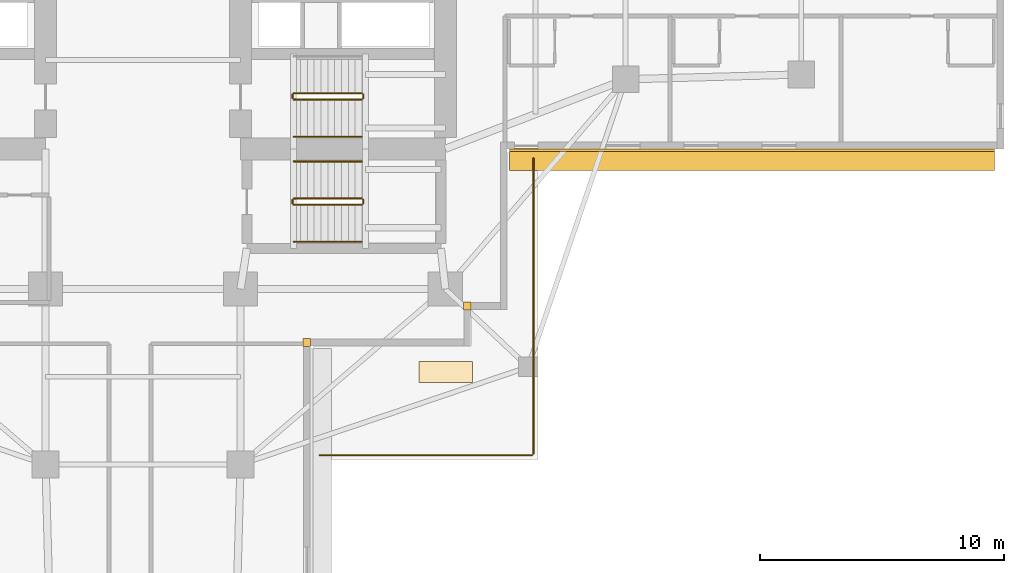
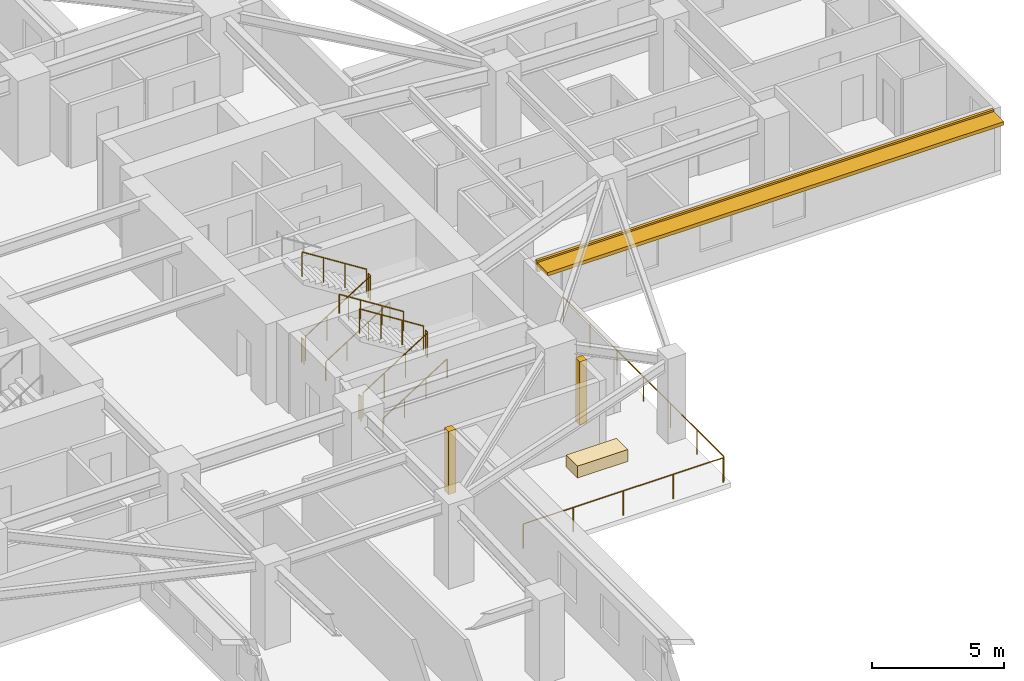
# One storey, part 11 of 13: 13 railings, 4 coverings, 1 shading device.
"""IFC4 building model written with IfcOpenShell, lengths in metres."""

from ifc_helpers import new_model, si_unit, direction, frame, origin, origin_2d, place, context, subcontext, project, spatial, rectangle, circle, extrude, material, layer, layer_set, type_object, element, save


model = new_model("IFC4")

# Units and contexts
model_context = context("Model", 3, precision=1e-05, world=origin(), true_north=direction((0.0, 1.0)))
body_context = subcontext(model_context, "Body", "Model", "MODEL_VIEW")
ifc_project = project(units=[si_unit("LENGTHUNIT", "METRE"), si_unit("AREAUNIT", "SQUARE_METRE"), si_unit("VOLUMEUNIT", "CUBIC_METRE"), si_unit("PLANEANGLEUNIT", "RADIAN"), si_unit("MASSUNIT", "GRAM", prefix="KILO")], contexts=[model_context])

# Site, building, storey
site_placement = place(None, origin())
site = spatial("IfcSite", under=ifc_project, at=site_placement, CompositionType="ELEMENT")
building_placement = place(site_placement, origin())
building = spatial("IfcBuilding", under=site, at=building_placement, Name="Qingluan Cross Belvedere", CompositionType="ELEMENT")
storey_placement = place(building_placement, frame((0.0, 0.0, 63.89990234375)))
storey = spatial("IfcBuildingStorey", under=building, at=storey_placement, Name="L16", CompositionType="ELEMENT", Elevation=63.89990234375)

# Coverings
ifc_material_1 = material(Name="Precast concrete C45", Category="concrete")
ifc_layer_1 = layer(ifc_material_1, 0.1201171875, Name="ConcreteSpandrelCladding_120")
ifc_layer_set_1 = layer_set([ifc_layer_1], Name="Precast concrete C45")
covering_type_1 = type_object("IfcCoveringType", Name="ConcreteSpandrelCladding_120", PredefinedType="CLADDING", material=ifc_layer_set_1)
covering_1_placement = place(storey_placement, frame((24.989990234375, -6.909912109375, 2.4501953125), z_axis=(0.0, 0.0, 1.0), x_axis=(1.0, 0.0, 0.0)))
element("IfcCovering", 1, at=covering_1_placement, inside=storey, type_object=covering_type_1, Name="Spandrel cladding L16-EA", PredefinedType="CLADDING", context=body_context, shape_type="SweptSolid", body=[
    extrude(rectangle(XDim=19.89990234375, YDim=0.1201171875, at=origin_2d()), origin(), (0.0, 0.0, 1.0), 0.52001953125),
])
for number, where, z_axis, x_axis, name in (
    (2, (13.300048828125, -13.300048828125, 0.0), (0.0, 0.0, 1.0), (1.0, 0.0, 0.0), "Corner closure L16-SE1"),
    (3, (6.719970703125, -14.800048828125, 0.0), (0.0, 0.0, 1.0), (1.0, 0.0, 0.0), "Corner closure L16-SE2"),
):
    element("IfcCovering", number, at=place(storey_placement, frame(where, z_axis=z_axis, x_axis=x_axis)), inside=storey, type_object=covering_type_1, Name=name, PredefinedType="CLADDING", context=body_context, shape_type="SweptSolid", body=[
        extrude(rectangle(XDim=0.320068359375, YDim=0.320068359375, at=origin_2d()), origin(), (0.0, 0.0, 1.0), 2.909912109375),
    ])

# Shading device
ifc_material_2 = material(Name="Precast concrete C45", Category="concrete")
ifc_layer_2 = layer(ifc_material_2, 0.159912109375, Name="ConcreteSunshadeBand_900")
ifc_layer_set_2 = layer_set([ifc_layer_2], Name="Precast concrete C45")
shading_device_type = type_object("IfcShadingDeviceType", Name="ConcreteSunshadeBand_900", PredefinedType="USERDEFINED", material=ifc_layer_set_2)
shading_device_placement = place(storey_placement, frame((24.989990234375, -7.2900390625, 2.72998046875), z_axis=(0.0, 0.0, 1.0), x_axis=(1.0, 0.0, 0.0)))
element("IfcShadingDevice", 4, at=shading_device_placement, inside=storey, type_object=shading_device_type, Name="Concrete SUNSHADE L16-EA", ObjectType="SUNSHADE", PredefinedType="USERDEFINED", context=body_context, shape_type="SweptSolid", body=[
    extrude(rectangle(XDim=19.89990234375, YDim=0.89990234375, at=origin_2d()), origin(), (0.0, 0.0, 1.0), 0.159912109375),
])

# Railings
ifc_material_3 = material(Name="Brushed stainless steel tubular handrail", Category="steel")
railing_type_1 = type_object("IfcRailingType", Name="StairPitchHandrail_900", PredefinedType="HANDRAIL", material=ifc_material_3)
for number, where, name in (
    (5, (6.179931640625, -6.35009765625, 0.177490234375), "L16 ST2 stair handrail 1"),
    (6, (6.179931640625, -10.669921875, 0.177490234375), "L16 ST4 stair handrail 1"),
):
    element("IfcRailing", number, at=place(storey_placement, frame(where)), inside=storey, type_object=railing_type_1, Name=name, PredefinedType="HANDRAIL", context=body_context, shape_type="SweptSolid", body=[
        extrude(circle(Radius=0.02392578125, at=origin_2d()), frame((0.0, 0.0, 0.8759765625), z_axis=(0.844908973607, 0.0, 0.534910110503), x_axis=(0.0, 1.0, 0.0)), (0.0, 0.0, 1.0), 3.31396484375),
        extrude(circle(Radius=0.02099609375, at=origin_2d()), origin(), (0.0, 0.0, 1.0), 0.851806640625),
        extrude(circle(Radius=0.02099609375, at=origin_2d()), frame((0.933349609375, 0.0, 0.5908203125)), (0.0, 0.0, 1.0), 0.851806640625),
        extrude(circle(Radius=0.02099609375, at=origin_2d()), frame((1.86669921875, 0.0, 1.181884765625)), (0.0, 0.0, 1.0), 0.851806640625),
        extrude(circle(Radius=0.02099609375, at=origin_2d()), frame((2.800048828125, 0.0, 1.772705078125)), (0.0, 0.0, 1.0), 0.851806640625),
    ])
railing_1_placement = place(storey_placement, frame((8.97998046875, -7.3701171875, 2.12744140625)))
element("IfcRailing", 7, at=railing_1_placement, inside=storey, type_object=railing_type_1, Name="L16 ST4 stair handrail 2", PredefinedType="HANDRAIL", context=body_context, shape_type="SweptSolid", body=[
    extrude(circle(Radius=0.02392578125, at=origin_2d()), frame((0.0, 0.0, 0.8759765625), z_axis=(-0.844908973607, 0.0, 0.534910110503), x_axis=(0.0, -1.0, 0.0)), (0.0, 0.0, 1.0), 3.31396484375),
    extrude(circle(Radius=0.02099609375, at=origin_2d()), origin(), (0.0, 0.0, 1.0), 0.851806640625),
    extrude(circle(Radius=0.02099609375, at=origin_2d()), frame((-0.933349609375, 0.0, 0.5908203125)), (0.0, 0.0, 1.0), 0.851806640625),
    extrude(circle(Radius=0.02099609375, at=origin_2d()), frame((-1.86669921875, 0.0, 1.181884765625)), (0.0, 0.0, 1.0), 0.851806640625),
    extrude(circle(Radius=0.02099609375, at=origin_2d()), frame((-2.800048828125, 0.0, 1.772705078125)), (0.0, 0.0, 1.0), 0.851806640625),
])
ifc_material_4 = material(Name="Painted steel stair well guard", Category="steel")
railing_type_2 = type_object("IfcRailingType", Name="StairWellGuard_1150", PredefinedType="BALUSTRADE", material=ifc_material_4)
railing_2_placement = place(storey_placement, frame((6.179931640625, -4.830078125, 0.177490234375)))
element("IfcRailing", 8, at=railing_2_placement, inside=storey, type_object=railing_type_2, Name="L16 ST2 stair guard 1", PredefinedType="BALUSTRADE", context=body_context, shape_type="SweptSolid", body=[
    extrude(circle(Radius=0.02392578125, at=origin_2d()), frame((0.0, 0.0, 1.1259765625), z_axis=(0.844908973607, 0.0, 0.534910110503), x_axis=(0.0, 1.0, 0.0)), (0.0, 0.0, 1.0), 3.31396484375),
    extrude(circle(Radius=0.02099609375, at=origin_2d()), origin(), (0.0, 0.0, 1.0), 1.101806640625),
    extrude(circle(Radius=0.02099609375, at=origin_2d()), frame((0.933349609375, 0.0, 0.5908203125)), (0.0, 0.0, 1.0), 1.101806640625),
    extrude(circle(Radius=0.02099609375, at=origin_2d()), frame((1.86669921875, 0.0, 1.181884765625)), (0.0, 0.0, 1.0), 1.101806640625),
    extrude(circle(Radius=0.02099609375, at=origin_2d()), frame((2.800048828125, 0.0, 1.772705078125)), (0.0, 0.0, 1.0), 1.101806640625),
])
railing_3_placement = place(storey_placement, frame((9.030029296875, -4.780029296875, 1.9501953125)))
element("IfcRailing", 9, at=railing_3_placement, inside=storey, type_object=railing_type_2, Name="L16 ST2 stair guard 2", PredefinedType="BALUSTRADE", context=body_context, shape_type="SweptSolid", body=[
    extrude(circle(Radius=0.02392578125, at=origin_2d()), frame((0.0, 0.0, 1.1259765625), z_axis=(0.0, 1.0, 0.0), x_axis=(-1.0, 0.0, 0.0)), (0.0, 0.0, 1.0), 0.159912109375),
    extrude(circle(Radius=0.02099609375, at=origin_2d()), origin(), (0.0, 0.0, 1.0), 1.101806640625),
    extrude(circle(Radius=0.02099609375, at=origin_2d()), frame((0.0, 0.159912109375, 0.0)), (0.0, 0.0, 1.0), 1.101806640625),
])
railing_4_placement = place(storey_placement, frame((8.97998046875, -4.570068359375, 2.12744140625)))
element("IfcRailing", 10, at=railing_4_placement, inside=storey, type_object=railing_type_2, Name="L16 ST2 stair guard 3", PredefinedType="BALUSTRADE", context=body_context, shape_type="SweptSolid", body=[
    extrude(circle(Radius=0.02392578125, at=origin_2d()), frame((0.0, 0.0, 1.1259765625), z_axis=(-0.844908973607, 0.0, 0.534910110503), x_axis=(0.0, -1.0, 0.0)), (0.0, 0.0, 1.0), 3.31396484375),
    extrude(circle(Radius=0.02099609375, at=origin_2d()), origin(), (0.0, 0.0, 1.0), 1.101806640625),
    extrude(circle(Radius=0.02099609375, at=origin_2d()), frame((-0.933349609375, 0.0, 0.5908203125)), (0.0, 0.0, 1.0), 1.101806640625),
    extrude(circle(Radius=0.02099609375, at=origin_2d()), frame((-1.86669921875, 0.0, 1.181884765625)), (0.0, 0.0, 1.0), 1.101806640625),
    extrude(circle(Radius=0.02099609375, at=origin_2d()), frame((-2.800048828125, 0.0, 1.772705078125)), (0.0, 0.0, 1.0), 1.101806640625),
])
railing_5_placement = place(storey_placement, frame((6.1298828125, -4.780029296875, 0.0)))
element("IfcRailing", 11, at=railing_5_placement, inside=storey, type_object=railing_type_2, Name="L16 ST2 stair guard 4", PredefinedType="BALUSTRADE", context=body_context, shape_type="SweptSolid", body=[
    extrude(circle(Radius=0.02392578125, at=origin_2d()), frame((0.0, 0.0, 1.1259765625), z_axis=(0.0, 1.0, 0.0), x_axis=(-1.0, 0.0, 0.0)), (0.0, 0.0, 1.0), 0.159912109375),
    extrude(circle(Radius=0.02099609375, at=origin_2d()), origin(), (0.0, 0.0, 1.0), 1.101806640625),
    extrude(circle(Radius=0.02099609375, at=origin_2d()), frame((0.0, 0.159912109375, 0.0)), (0.0, 0.0, 1.0), 1.101806640625),
])
railing_6_placement = place(storey_placement, frame((6.179931640625, -9.14990234375, 0.177490234375)))
element("IfcRailing", 12, at=railing_6_placement, inside=storey, type_object=railing_type_2, Name="L16 ST4 stair guard 1", PredefinedType="BALUSTRADE", context=body_context, shape_type="SweptSolid", body=[
    extrude(circle(Radius=0.02392578125, at=origin_2d()), frame((0.0, 0.0, 1.1259765625), z_axis=(0.844908973607, 0.0, 0.534910110503), x_axis=(0.0, 1.0, 0.0)), (0.0, 0.0, 1.0), 3.31396484375),
    extrude(circle(Radius=0.02099609375, at=origin_2d()), origin(), (0.0, 0.0, 1.0), 1.101806640625),
    extrude(circle(Radius=0.02099609375, at=origin_2d()), frame((0.933349609375, 0.0, 0.5908203125)), (0.0, 0.0, 1.0), 1.101806640625),
    extrude(circle(Radius=0.02099609375, at=origin_2d()), frame((1.86669921875, 0.0, 1.181884765625)), (0.0, 0.0, 1.0), 1.101806640625),
    extrude(circle(Radius=0.02099609375, at=origin_2d()), frame((2.800048828125, 0.0, 1.772705078125)), (0.0, 0.0, 1.0), 1.101806640625),
])
railing_7_placement = place(storey_placement, frame((9.030029296875, -9.10009765625, 1.9501953125)))
element("IfcRailing", 13, at=railing_7_placement, inside=storey, type_object=railing_type_2, Name="L16 ST4 stair guard 2", PredefinedType="BALUSTRADE", context=body_context, shape_type="SweptSolid", body=[
    extrude(circle(Radius=0.02392578125, at=origin_2d()), frame((0.0, 0.0, 1.1259765625), z_axis=(0.0, 1.0, 0.0), x_axis=(-1.0, 0.0, 0.0)), (0.0, 0.0, 1.0), 0.16015625),
    extrude(circle(Radius=0.02099609375, at=origin_2d()), origin(), (0.0, 0.0, 1.0), 1.101806640625),
    extrude(circle(Radius=0.02099609375, at=origin_2d()), frame((0.0, 0.16015625, 0.0)), (0.0, 0.0, 1.0), 1.101806640625),
])
railing_8_placement = place(storey_placement, frame((8.97998046875, -8.889892578125, 2.12744140625)))
element("IfcRailing", 14, at=railing_8_placement, inside=storey, type_object=railing_type_2, Name="L16 ST4 stair guard 3", PredefinedType="BALUSTRADE", context=body_context, shape_type="SweptSolid", body=[
    extrude(circle(Radius=0.02392578125, at=origin_2d()), frame((0.0, 0.0, 1.1259765625), z_axis=(-0.844908973607, 0.0, 0.534910110503), x_axis=(0.0, -1.0, 0.0)), (0.0, 0.0, 1.0), 3.31396484375),
    extrude(circle(Radius=0.02099609375, at=origin_2d()), origin(), (0.0, 0.0, 1.0), 1.101806640625),
    extrude(circle(Radius=0.02099609375, at=origin_2d()), frame((-0.933349609375, 0.0, 0.5908203125)), (0.0, 0.0, 1.0), 1.101806640625),
    extrude(circle(Radius=0.02099609375, at=origin_2d()), frame((-1.86669921875, 0.0, 1.181884765625)), (0.0, 0.0, 1.0), 1.101806640625),
    extrude(circle(Radius=0.02099609375, at=origin_2d()), frame((-2.800048828125, 0.0, 1.772705078125)), (0.0, 0.0, 1.0), 1.101806640625),
])
railing_9_placement = place(storey_placement, frame((6.1298828125, -9.10009765625, 0.0)))
element("IfcRailing", 15, at=railing_9_placement, inside=storey, type_object=railing_type_2, Name="L16 ST4 stair guard 4", PredefinedType="BALUSTRADE", context=body_context, shape_type="SweptSolid", body=[
    extrude(circle(Radius=0.02392578125, at=origin_2d()), frame((0.0, 0.0, 1.1259765625), z_axis=(0.0, 1.0, 0.0), x_axis=(-1.0, 0.0, 0.0)), (0.0, 0.0, 1.0), 0.16015625),
    extrude(circle(Radius=0.02099609375, at=origin_2d()), origin(), (0.0, 0.0, 1.0), 1.101806640625),
    extrude(circle(Radius=0.02099609375, at=origin_2d()), frame((0.0, 0.16015625, 0.0)), (0.0, 0.0, 1.0), 1.101806640625),
])
ifc_material_5 = material(Name="Laminated glass and stainless steel balustrade", Category="steel")
railing_type_3 = type_object("IfcRailingType", Name="TerraceGuardBalustrade_1150", PredefinedType="BALUSTRADE", material=ifc_material_5)
railing_10_placement = place(storey_placement, frame((16.02001953125, -7.239990234375, 0.0)))
element("IfcRailing", 16, at=railing_10_placement, inside=storey, type_object=railing_type_3, Name="Terrace guard L16-1", PredefinedType="BALUSTRADE", context=body_context, shape_type="SweptSolid", body=[
    extrude(circle(Radius=0.02392578125, at=origin_2d()), frame((0.0, 0.0, 1.1259765625), z_axis=(0.0, -1.0, 0.0), x_axis=(1.0, 0.0, 0.0)), (0.0, 0.0, 1.0), 12.1201171875),
    extrude(circle(Radius=0.02099609375, at=origin_2d()), origin(), (0.0, 0.0, 1.0), 1.101806640625),
    extrude(circle(Radius=0.02099609375, at=origin_2d()), frame((0.0, -2.02001953125, 0.0)), (0.0, 0.0, 1.0), 1.101806640625),
    extrude(circle(Radius=0.02099609375, at=origin_2d()), frame((0.0, -4.0400390625, 0.0)), (0.0, 0.0, 1.0), 1.101806640625),
    extrude(circle(Radius=0.02099609375, at=origin_2d()), frame((0.0, -6.06005859375, 0.0)), (0.0, 0.0, 1.0), 1.101806640625),
    extrude(circle(Radius=0.02099609375, at=origin_2d()), frame((0.0, -8.080078125, 0.0)), (0.0, 0.0, 1.0), 1.101806640625),
    extrude(circle(Radius=0.02099609375, at=origin_2d()), frame((0.0, -10.10009765625, 0.0)), (0.0, 0.0, 1.0), 1.101806640625),
    extrude(circle(Radius=0.02099609375, at=origin_2d()), frame((0.0, -12.1201171875, 0.0)), (0.0, 0.0, 1.0), 1.101806640625),
])
railing_11_placement = place(storey_placement, frame((15.9599609375, -19.419921875, 0.0)))
element("IfcRailing", 17, at=railing_11_placement, inside=storey, type_object=railing_type_3, Name="Terrace guard L16-2", PredefinedType="BALUSTRADE", context=body_context, shape_type="SweptSolid", body=[
    extrude(circle(Radius=0.02392578125, at=origin_2d()), frame((0.0, 0.0, 1.1259765625), z_axis=(-1.0, 0.0, 0.0), x_axis=(0.0, -1.0, 0.0)), (0.0, 0.0, 1.0), 8.719970703125),
    extrude(circle(Radius=0.02099609375, at=origin_2d()), origin(), (0.0, 0.0, 1.0), 1.101806640625),
    extrude(circle(Radius=0.02099609375, at=origin_2d()), frame((-2.179931640625, 0.0, 0.0)), (0.0, 0.0, 1.0), 1.101806640625),
    extrude(circle(Radius=0.02099609375, at=origin_2d()), frame((-4.35986328125, 0.0, 0.0)), (0.0, 0.0, 1.0), 1.101806640625),
    extrude(circle(Radius=0.02099609375, at=origin_2d()), frame((-6.5400390625, 0.0, 0.0)), (0.0, 0.0, 1.0), 1.101806640625),
    extrude(circle(Radius=0.02099609375, at=origin_2d()), frame((-8.719970703125, 0.0, 0.0)), (0.0, 0.0, 1.0), 1.101806640625),
])

# Covering
ifc_material_6 = material(Name="Precast concrete C40", Category="concrete")
ifc_layer_3 = layer(ifc_material_6, 0.550048828125, Name="TerracePlanterBox")
ifc_layer_set_3 = layer_set([ifc_layer_3], Name="Precast concrete C40")
covering_type_2 = type_object("IfcCoveringType", Name="TerracePlanterBox", PredefinedType="USERDEFINED", material=ifc_layer_set_3)
covering_2_placement = place(storey_placement, frame((12.425048828125, -16.010009765625, 0.0), z_axis=(0.0, 0.0, 1.0), x_axis=(1.0, 0.0, 0.0)))
element("IfcCovering", 18, at=covering_2_placement, inside=storey, type_object=covering_type_2, Name="Spiralling winter-garden planter L16", ObjectType="PLANTER", PredefinedType="USERDEFINED", context=body_context, shape_type="SweptSolid", body=[
    extrude(rectangle(XDim=2.199951171875, YDim=0.85009765625, at=origin_2d()), origin(), (0.0, 0.0, 1.0), 0.550048828125),
])

save(model, "model.ifc")
